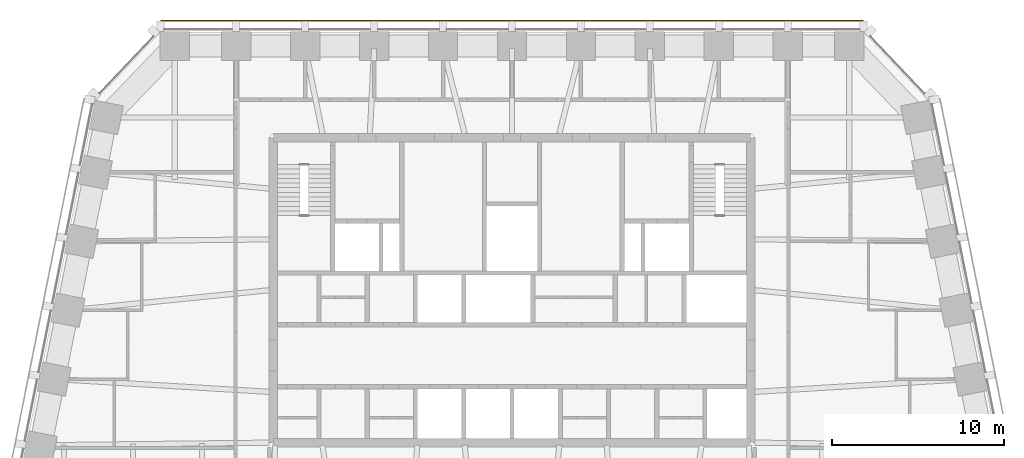
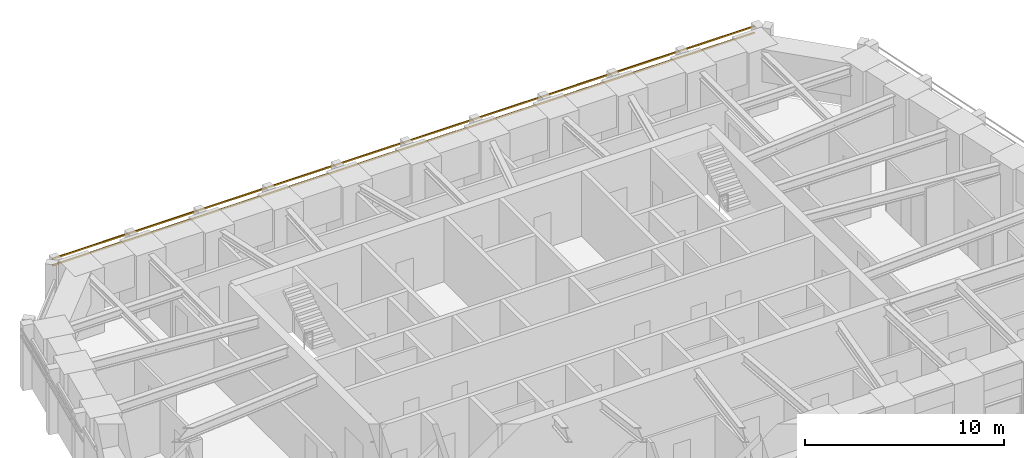
# One storey, part 10 of 10: 2 shading devices.
"""IFC4 building model written with IfcOpenShell, lengths in metres."""

import ifcopenshell
import ifcopenshell.guid

model = None  # the IFC model being written
_history = None  # IfcOwnerHistory: only IFC2X3 demands one
_inside = {}  # id of a spatial element -> (the spatial element, [elements in it])
_under = {}  # id of a project, library or spatial element -> (it, [spatial elements below it])
_declared = {}  # id of a project -> (the project, [libraries it declares])
_typed = {}  # id of a type object -> (the type object, [elements of that type])
_made_of = {}  # id of a material, layer set ... -> (it, [elements and type objects made of it])


def new_model(schema):
    """Start an empty IFC model of exactly this schema.

    Asked for "IFC4X3", IfcOpenShell would pick the latest addendum, in which some entities
    have other attributes; the version numbers below select the first issue.
    IFC2X3 requires an IfcOwnerHistory on every rooted entity: one is made here for all.
    """
    global model, _history
    if schema == "IFC4X3":
        model = ifcopenshell.file(schema_version=(4, 3, 0, 0))
    else:
        model = ifcopenshell.file(schema=schema)
    _inside.clear()
    _under.clear()
    _declared.clear()
    _typed.clear()
    _made_of.clear()
    _history = None
    if model.schema == "IFC2X3":
        org = make("IfcOrganization", Name="unknown")
        user = make(
            "IfcPersonAndOrganization",
            ThePerson=make("IfcPerson", FamilyName="unknown"),
            TheOrganization=org,
        )
        app = make(
            "IfcApplication",
            ApplicationDeveloper=org,
            Version="unknown",
            ApplicationFullName="unknown",
            ApplicationIdentifier="unknown",
        )
        _history = make(
            "IfcOwnerHistory",
            OwningUser=user,
            OwningApplication=app,
            ChangeAction="ADDED",
            CreationDate=0,
        )
    return model


def make(cls, **values):
    """One entity of the class cls with the attributes given. An attribute that is None is left unset."""
    return model.create_entity(
        cls, **{name: value for name, value in values.items() if value is not None}
    )


def rooted(cls, **values):
    """An entity with a GlobalId (a new one), such as an element, a storey or a relation."""
    return make(cls, GlobalId=ifcopenshell.guid.new(), OwnerHistory=_history, **values)


def si_unit(unit_type, name, prefix=None):
    """IfcSIUnit, for example si_unit("LENGTHUNIT", "METRE", prefix="MILLI")."""
    return make("IfcSIUnit", UnitType=unit_type, Prefix=prefix, Name=name)


def assignment(units):
    """IfcUnitAssignment: the units of a project."""
    return None if units is None else make("IfcUnitAssignment", Units=units)


def point(xyz):
    """IfcCartesianPoint."""
    return None if xyz is None else make("IfcCartesianPoint", Coordinates=xyz)


def direction(xyz):
    """IfcDirection."""
    return None if xyz is None else make("IfcDirection", DirectionRatios=xyz)


def frame(location, z_axis=None, x_axis=None):
    """IfcAxis2Placement3D, a coordinate frame: its origin and axes. An axis left out is left unset."""
    return make(
        "IfcAxis2Placement3D",
        Location=point(location),
        Axis=direction(z_axis),
        RefDirection=direction(x_axis),
    )


def frame_2d(location, x_axis=None):
    """IfcAxis2Placement2D, a coordinate frame in the plane: its origin and x axis."""
    return make(
        "IfcAxis2Placement2D", Location=point(location), RefDirection=direction(x_axis)
    )


def origin():
    """The frame at (0, 0, 0) with its axes left unset."""
    return frame((0.0, 0.0, 0.0))


def origin_2d():
    """The frame at (0, 0) in the plane with its x axis left unset."""
    return frame_2d((0.0, 0.0))


def place(relative_to, where):
    """IfcLocalPlacement: puts the frame where relative to a parent placement (None: the world)."""
    return make(
        "IfcLocalPlacement", PlacementRelTo=relative_to, RelativePlacement=where
    )


def context(
    kind, dimensions, precision=None, world=None, true_north=None, identifier=None
):
    """IfcGeometricRepresentationContext, for example the 3D "Model" context."""
    return make(
        "IfcGeometricRepresentationContext",
        ContextIdentifier=identifier,
        ContextType=kind,
        CoordinateSpaceDimension=dimensions,
        Precision=precision,
        WorldCoordinateSystem=world,
        TrueNorth=true_north,
    )


def subcontext(parent, identifier, kind, view, scale=None):
    """IfcGeometricRepresentationSubContext, for example "Body" below "Model"."""
    return make(
        "IfcGeometricRepresentationSubContext",
        ContextIdentifier=identifier,
        ContextType=kind,
        ParentContext=parent,
        TargetScale=scale,
        TargetView=view,
    )


def project(units=None, contexts=None):
    """IfcProject with its units and contexts."""
    return rooted(
        "IfcProject",
        Name="project",
        RepresentationContexts=contexts,
        UnitsInContext=assignment(units),
    )


def spatial(cls, under=None, at=None, **own):
    """A site, building, storey or space (cls), placed at a placement, below another one or the project."""
    s = rooted(cls, ObjectPlacement=at, **own)
    if under is not None:
        _under.setdefault(under.id(), (under, []))[1].append(s)
    return s


def profile(cls, at=None, kind="AREA", **sizes):
    """A parametric profile (cls). Its sizes go by their IFC names, for example OverallWidth=200.0."""
    return make(cls, ProfileType=kind, Position=at, **sizes)


def rectangle(**sizes):
    """IfcRectangleProfileDef."""
    return profile("IfcRectangleProfileDef", **sizes)


def extrude(swept, where, along, depth):
    """IfcExtrudedAreaSolid: the profile swept, set in the frame where, extruded along a direction by depth."""
    return make(
        "IfcExtrudedAreaSolid",
        SweptArea=swept,
        Position=where,
        ExtrudedDirection=direction(along),
        Depth=depth,
    )


def shape(context_of_items, identifier, shape_type, items):
    """IfcShapeRepresentation: the items that make up one representation, for example the "Body"."""
    return make(
        "IfcShapeRepresentation",
        ContextOfItems=context_of_items,
        RepresentationIdentifier=identifier,
        RepresentationType=shape_type,
        Items=items,
    )


def material(Name=None, Category=None):
    """IfcMaterial."""
    return make("IfcMaterial", Name=Name, Category=Category)


def material_profile(
    of_material, cross_section, Name=None, Category=None, Priority=None
):
    """IfcMaterialProfile: a cross section and its material."""
    return make(
        "IfcMaterialProfile",
        Name=Name,
        Material=of_material,
        Profile=cross_section,
        Priority=Priority,
        Category=Category,
    )


def profile_set(profiles, Name=None, composite=None):
    """IfcMaterialProfileSet."""
    return make(
        "IfcMaterialProfileSet",
        Name=Name,
        MaterialProfiles=profiles,
        CompositeProfile=composite,
    )


def made_of(thing, what):
    """Note that an element or type object is made of a material, layer set ...; save() writes the relation."""
    if what is not None:
        _made_of.setdefault(what.id(), (what, []))[1].append(thing)
    return thing


def type_object(cls, material=None, **own):
    """A type object (cls), such as IfcWallType, which elements share."""
    return made_of(rooted(cls, **own), material)


def element(
    cls,
    number,
    at=None,
    inside=None,
    cuts=None,
    type_object=None,
    material=None,
    context=None,
    identifier="Body",
    shape_type=None,
    held_by="IfcProductDefinitionShape",
    body=None,
    shapes=None,
    **own,
):
    """One element of the class cls, such as IfcWall. Its Tag is "e" and its number.

    at: its placement. inside: the storey or other place that contains it. cuts: it is an
    opening in that element (IfcRelVoidsElement). A single representation is given by context,
    identifier, shape_type and body (its items); several are given by shapes. held_by: the class
    of the entity that holds the representations. save() writes the other relations.
    """
    e = rooted(cls, Tag="e%d" % number, ObjectPlacement=at, **own)
    if body is not None:
        shapes = [shape(context, identifier, shape_type, body)]
    if shapes is not None:
        e.Representation = make(held_by, Representations=shapes)
    if inside is not None:
        _inside.setdefault(inside.id(), (inside, []))[1].append(e)
    if cuts is not None:
        rooted(
            "IfcRelVoidsElement", RelatingBuildingElement=cuts, RelatedOpeningElement=e
        )
    if type_object is not None:
        _typed.setdefault(type_object.id(), (type_object, []))[1].append(e)
    return made_of(e, material)


def aggregate(whole, parts):
    """IfcRelAggregates: a whole, such as a stair, and the parts it consists of."""
    return rooted("IfcRelAggregates", RelatingObject=whole, RelatedObjects=parts)


def save(model, path):
    """Write the relations noted so far, then the file.

    IfcRelAggregates (storeys below a building ...), IfcRelContainedInSpatialStructure (elements
    in a storey), IfcRelDefinesByType, IfcRelAssociatesMaterial and IfcRelDeclares: one each for
    every whole, place, type object, material and project.
    """
    for whole, parts in _under.values():
        aggregate(whole, parts)
    for where, things in _inside.values():
        rooted(
            "IfcRelContainedInSpatialStructure",
            RelatedElements=things,
            RelatingStructure=where,
        )
    for kind, things in _typed.values():
        rooted("IfcRelDefinesByType", RelatedObjects=things, RelatingType=kind)
    for what, things in _made_of.values():
        rooted("IfcRelAssociatesMaterial", RelatedObjects=things, RelatingMaterial=what)
    for by, libraries in _declared.values():
        rooted("IfcRelDeclares", RelatingContext=by, RelatedDefinitions=libraries)
    model.write(path)


model = new_model("IFC4")

# Units and contexts
model_context = context("Model", 3, precision=1e-05, world=origin(), true_north=direction((0.0, 1.0)))
body_context = subcontext(model_context, "Body", "Model", "MODEL_VIEW")
ifc_project = project(units=[si_unit("LENGTHUNIT", "METRE"), si_unit("AREAUNIT", "SQUARE_METRE"), si_unit("VOLUMEUNIT", "CUBIC_METRE"), si_unit("PLANEANGLEUNIT", "RADIAN"), si_unit("MASSUNIT", "GRAM", prefix="KILO")], contexts=[model_context])

# Site, building, storey
site_placement = place(None, origin())
site = spatial("IfcSite", under=ifc_project, at=site_placement, CompositionType="ELEMENT")
building_placement = place(site_placement, origin())
building = spatial("IfcBuilding", under=site, at=building_placement, Name="Isbrekke Arena Tower", CompositionType="ELEMENT")
storey_placement = place(building_placement, frame((0.0, 0.0, 300.0)))
storey = spatial("IfcBuildingStorey", under=building, at=storey_placement, Name="L70", CompositionType="ELEMENT", Elevation=300.0)

# Shading devices
ifc_material = material(Name="Terracotta", Category="masonry")
ifc_material_profile = material_profile(ifc_material, rectangle(XDim=0.06005859375, YDim=0.06005859375, at=origin_2d()), Name="BAGUETTE 60X60")
ifc_profile_set = profile_set([ifc_material_profile], Name="Terracotta")
shading_device_type = type_object("IfcShadingDeviceType", Name="BG1 TERRACOTTA BAGUETTE 60 x 60", PredefinedType="USERDEFINED", material=ifc_profile_set)
for number, where, z_axis, x_axis, name in (
    (1, (20.39990234375, 30.655029296875, 3.280029296875), (-1.0, 0.0, 0.0), (0.0, -1.0, 0.0), "BG1 terracotta baguette N1 L70"),
    (2, (20.39990234375, 30.655029296875, 3.679931640625), (-1.0, 0.0, 0.0), (0.0, -1.0, 0.0), "BG1 terracotta baguette N2 L70"),
):
    element("IfcShadingDevice", number, at=place(storey_placement, frame(where, z_axis=z_axis, x_axis=x_axis)), inside=storey, type_object=shading_device_type, Name=name, ObjectType="TERRACOTTA BAGUETTE", PredefinedType="USERDEFINED", context=body_context, shape_type="SweptSolid", body=[
        extrude(rectangle(XDim=0.06005859375, YDim=0.06005859375, at=origin_2d()), origin(), (0.0, 0.0, 1.0), 40.7998046875),
    ])

save(model, "model.ifc")
